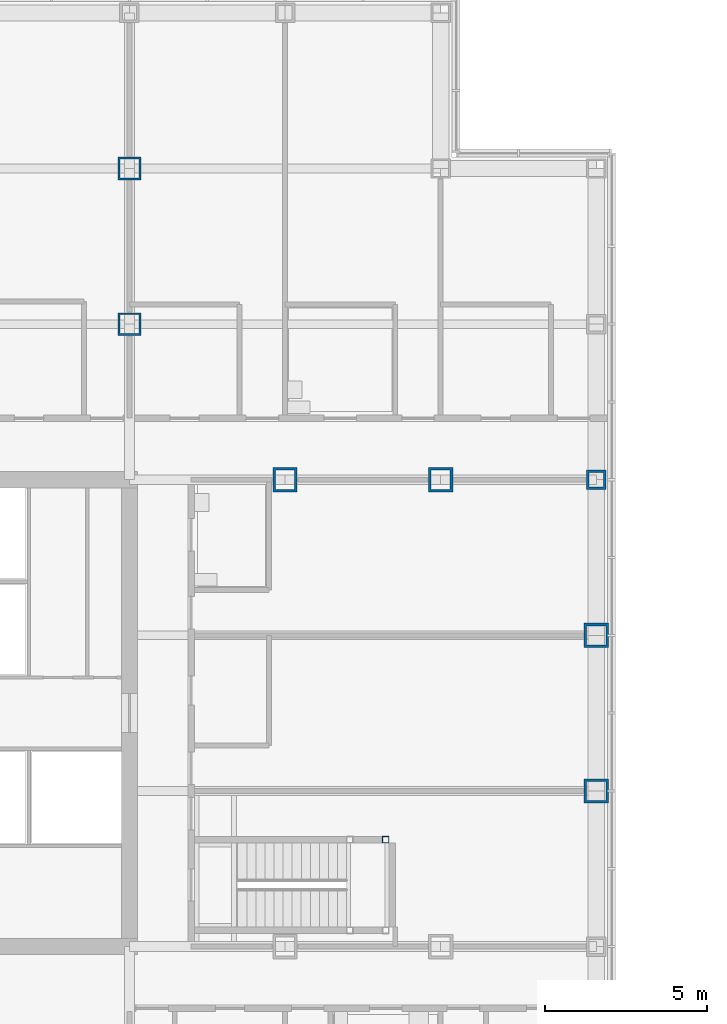
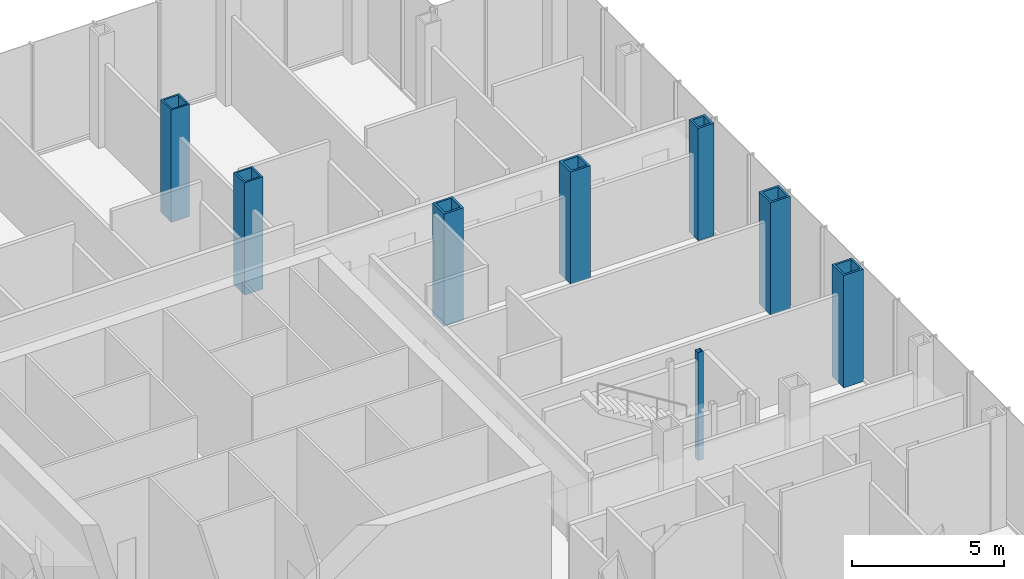
# One storey, part 9 of 25: 8 columns.
"""IFC4 building model written with IfcOpenShell, lengths in metres."""

from ifc_helpers import new_model, si_unit, direction, frame, origin, origin_2d, place, context, subcontext, project, spatial, hollow_rectangle, extrude, material, material_profile, profile_set, type_object, element, save


model = new_model("IFC4")

# Units and contexts
model_context = context("Model", 3, precision=1e-05, world=origin(), true_north=direction((0.0, 1.0)))
body_context = subcontext(model_context, "Body", "Model", "MODEL_VIEW")
ifc_project = project(units=[si_unit("LENGTHUNIT", "METRE"), si_unit("AREAUNIT", "SQUARE_METRE"), si_unit("VOLUMEUNIT", "CUBIC_METRE"), si_unit("PLANEANGLEUNIT", "RADIAN"), si_unit("MASSUNIT", "GRAM", prefix="KILO")], contexts=[model_context])

# Site, building, storey
site_placement = place(None, origin())
site = spatial("IfcSite", under=ifc_project, at=site_placement, CompositionType="ELEMENT")
building_placement = place(site_placement, origin())
building = spatial("IfcBuilding", under=site, at=building_placement, Name="Kvirike Care Tower", CompositionType="ELEMENT")
storey_placement = place(building_placement, frame((0.0, 0.0, 13.5)))
storey = spatial("IfcBuildingStorey", under=building, at=storey_placement, Name="L03", CompositionType="ELEMENT", Elevation=13.5)

# Columns
ifc_material_1 = material(Name="Steel S460", Category="steel")
ifc_material_profile_1 = material_profile(ifc_material_1, hollow_rectangle(XDim=0.60009765625, YDim=0.60009765625, WallThickness=0.080078125, at=origin_2d()), Name="BX 600x600x80")
ifc_profile_set_1 = profile_set([ifc_material_profile_1], Name="Steel S460")
column_type_1 = type_object("IfcColumnType", Name="COLUMN BX 600x600x80", PredefinedType="COLUMN", material=ifc_profile_set_1)
column_1_placement = place(storey_placement, frame((43.199951171875, 43.199951171875, 0.0), z_axis=(0.0, 0.0, 1.0), x_axis=(0.0, 1.0, 0.0)))
element("IfcColumn", 1, at=column_1_placement, inside=storey, type_object=column_type_1, Name="Column K12 L03", PredefinedType="COLUMN", context=body_context, shape_type="SweptSolid", body=[
    extrude(hollow_rectangle(XDim=0.60009765625, YDim=0.60009765625, WallThickness=0.080078125, at=origin_2d()), origin(), (0.0, 0.0, 1.0), 4.5),
])
ifc_material_2 = material(Name="Steel S460", Category="steel")
ifc_material_profile_2 = material_profile(ifc_material_2, hollow_rectangle(XDim=0.699951171875, YDim=0.699951171875, WallThickness=0.06005859375, at=origin_2d()), Name="BX 700x700x60")
ifc_profile_set_2 = profile_set([ifc_material_profile_2], Name="Steel S460")
column_type_2 = type_object("IfcColumnType", Name="COLUMN BX 700x700x60", PredefinedType="COLUMN", material=ifc_profile_set_2)
for number, where, z_axis, x_axis, name in (
    (2, (28.800048828125, 48.0, 0.0), (0.0, 0.0, 1.0), (1.0, 0.0, 0.0), "Column L9 L03"),
    (3, (28.800048828125, 52.800048828125, 0.0), (0.0, 0.0, 1.0), (1.0, 0.0, 0.0), "Column M9 L03"),
):
    element("IfcColumn", number, at=place(storey_placement, frame(where, z_axis=z_axis, x_axis=x_axis)), inside=storey, type_object=column_type_2, Name=name, PredefinedType="COLUMN", context=body_context, shape_type="SweptSolid", body=[
        extrude(hollow_rectangle(XDim=0.699951171875, YDim=0.699951171875, WallThickness=0.06005859375, at=origin_2d()), origin(), (0.0, 0.0, 1.0), 4.5),
    ])
ifc_material_3 = material(Name="Steel S460", Category="steel")
ifc_material_profile_3 = material_profile(ifc_material_3, hollow_rectangle(XDim=0.75, YDim=0.75, WallThickness=0.080078125, at=origin_2d()), Name="BX 750x750x80")
ifc_profile_set_3 = profile_set([ifc_material_profile_3], Name="Steel S460")
column_type_3 = type_object("IfcColumnType", Name="COLUMN BX 750x750x80", PredefinedType="COLUMN", material=ifc_profile_set_3)
for number, where, z_axis, x_axis, name in (
    (4, (33.60009765625, 43.199951171875, 0.0), (0.0, 0.0, 1.0), (0.0, 1.0, 0.0), "Column K10 L03"),
    (5, (38.39990234375, 43.199951171875, 0.0), (0.0, 0.0, 1.0), (0.0, 1.0, 0.0), "Column K11 L03"),
    (6, (43.199951171875, 33.60009765625, 0.0), (0.0, 0.0, 1.0), (1.0, 0.0, 0.0), "Column H12 L03"),
    (7, (43.199951171875, 38.39990234375, 0.0), (0.0, 0.0, 1.0), (1.0, 0.0, 0.0), "Column J12 L03"),
):
    element("IfcColumn", number, at=place(storey_placement, frame(where, z_axis=z_axis, x_axis=x_axis)), inside=storey, type_object=column_type_3, Name=name, PredefinedType="COLUMN", context=body_context, shape_type="SweptSolid", body=[
        extrude(hollow_rectangle(XDim=0.75, YDim=0.75, WallThickness=0.080078125, at=origin_2d()), origin(), (0.0, 0.0, 1.0), 4.5),
    ])
ifc_material_4 = material(Name="Steel S460", Category="steel")
ifc_material_profile_4 = material_profile(ifc_material_4, hollow_rectangle(XDim=0.199951171875, YDim=0.199951171875, WallThickness=0.008056640625, at=origin_2d()), Name="SHS 200x200x8")
ifc_profile_set_4 = profile_set([ifc_material_profile_4], Name="Steel S460")
column_type_4 = type_object("IfcColumnType", Name="STAIR POST SHS 200x200x8", PredefinedType="COLUMN", material=ifc_profile_set_4)
column_2_placement = place(storey_placement, frame((36.699951171875, 32.10009765625, 0.0), z_axis=(0.0, 0.0, 1.0), x_axis=(1.0, 0.0, 0.0)))
element("IfcColumn", 8, at=column_2_placement, inside=storey, type_object=column_type_4, Name="Stair 2 post 2 L03", PredefinedType="COLUMN", context=body_context, shape_type="SweptSolid", body=[
    extrude(hollow_rectangle(XDim=0.199951171875, YDim=0.199951171875, WallThickness=0.008056640625, at=origin_2d()), origin(), (0.0, 0.0, 1.0), 4.330078125),
])

save(model, "model.ifc")
